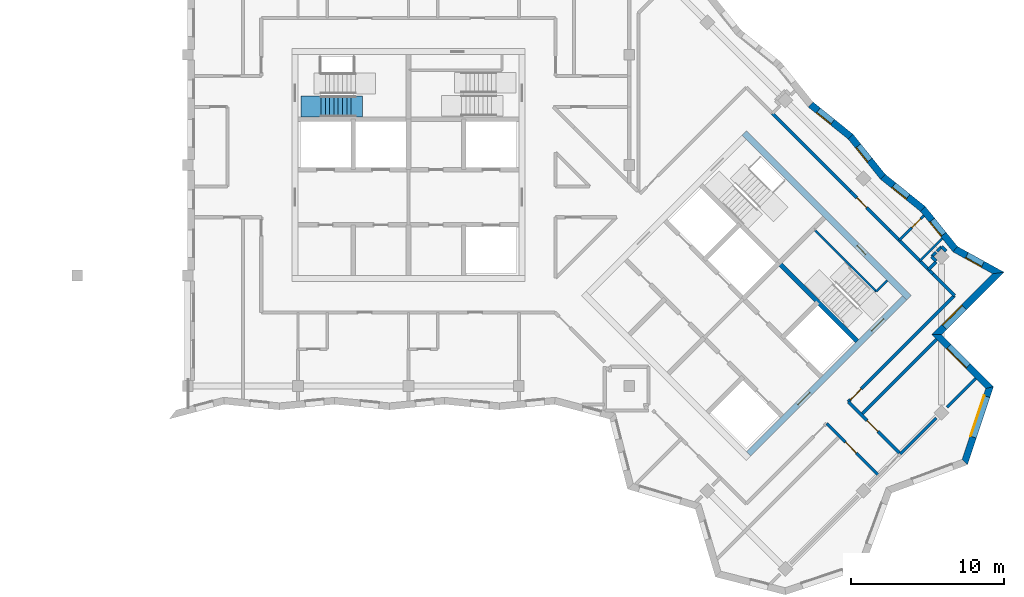
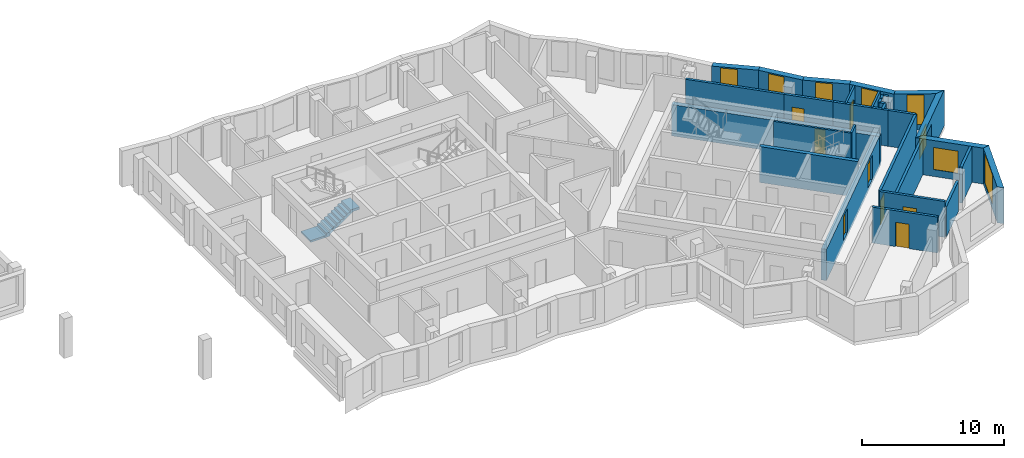
# One storey, part 7 of 12: 30 walls, 8 doors, 8 windows, 1 stair flight, 16 openings, 1 element without a shape of its own.
"""IFC4 building model written with IfcOpenShell, lengths in metres."""

import ifcopenshell
import ifcopenshell.guid

model = None  # the IFC model being written
_history = None  # IfcOwnerHistory: only IFC2X3 demands one
_inside = {}  # id of a spatial element -> (the spatial element, [elements in it])
_under = {}  # id of a project, library or spatial element -> (it, [spatial elements below it])
_declared = {}  # id of a project -> (the project, [libraries it declares])
_typed = {}  # id of a type object -> (the type object, [elements of that type])
_made_of = {}  # id of a material, layer set ... -> (it, [elements and type objects made of it])


def new_model(schema):
    """Start an empty IFC model of exactly this schema.

    Asked for "IFC4X3", IfcOpenShell would pick the latest addendum, in which some entities
    have other attributes; the version numbers below select the first issue.
    IFC2X3 requires an IfcOwnerHistory on every rooted entity: one is made here for all.
    """
    global model, _history
    if schema == "IFC4X3":
        model = ifcopenshell.file(schema_version=(4, 3, 0, 0))
    else:
        model = ifcopenshell.file(schema=schema)
    _inside.clear()
    _under.clear()
    _declared.clear()
    _typed.clear()
    _made_of.clear()
    _history = None
    if model.schema == "IFC2X3":
        org = make("IfcOrganization", Name="unknown")
        user = make(
            "IfcPersonAndOrganization",
            ThePerson=make("IfcPerson", FamilyName="unknown"),
            TheOrganization=org,
        )
        app = make(
            "IfcApplication",
            ApplicationDeveloper=org,
            Version="unknown",
            ApplicationFullName="unknown",
            ApplicationIdentifier="unknown",
        )
        _history = make(
            "IfcOwnerHistory",
            OwningUser=user,
            OwningApplication=app,
            ChangeAction="ADDED",
            CreationDate=0,
        )
    return model


def make(cls, **values):
    """One entity of the class cls with the attributes given. An attribute that is None is left unset."""
    return model.create_entity(
        cls, **{name: value for name, value in values.items() if value is not None}
    )


def rooted(cls, **values):
    """An entity with a GlobalId (a new one), such as an element, a storey or a relation."""
    return make(cls, GlobalId=ifcopenshell.guid.new(), OwnerHistory=_history, **values)


def si_unit(unit_type, name, prefix=None):
    """IfcSIUnit, for example si_unit("LENGTHUNIT", "METRE", prefix="MILLI")."""
    return make("IfcSIUnit", UnitType=unit_type, Prefix=prefix, Name=name)


def assignment(units):
    """IfcUnitAssignment: the units of a project."""
    return None if units is None else make("IfcUnitAssignment", Units=units)


def point(xyz):
    """IfcCartesianPoint."""
    return None if xyz is None else make("IfcCartesianPoint", Coordinates=xyz)


def direction(xyz):
    """IfcDirection."""
    return None if xyz is None else make("IfcDirection", DirectionRatios=xyz)


def frame(location, z_axis=None, x_axis=None):
    """IfcAxis2Placement3D, a coordinate frame: its origin and axes. An axis left out is left unset."""
    return make(
        "IfcAxis2Placement3D",
        Location=point(location),
        Axis=direction(z_axis),
        RefDirection=direction(x_axis),
    )


def frame_2d(location, x_axis=None):
    """IfcAxis2Placement2D, a coordinate frame in the plane: its origin and x axis."""
    return make(
        "IfcAxis2Placement2D", Location=point(location), RefDirection=direction(x_axis)
    )


def origin():
    """The frame at (0, 0, 0) with its axes left unset."""
    return frame((0.0, 0.0, 0.0))


def place(relative_to, where):
    """IfcLocalPlacement: puts the frame where relative to a parent placement (None: the world)."""
    return make(
        "IfcLocalPlacement", PlacementRelTo=relative_to, RelativePlacement=where
    )


def context(
    kind, dimensions, precision=None, world=None, true_north=None, identifier=None
):
    """IfcGeometricRepresentationContext, for example the 3D "Model" context."""
    return make(
        "IfcGeometricRepresentationContext",
        ContextIdentifier=identifier,
        ContextType=kind,
        CoordinateSpaceDimension=dimensions,
        Precision=precision,
        WorldCoordinateSystem=world,
        TrueNorth=true_north,
    )


def subcontext(parent, identifier, kind, view, scale=None):
    """IfcGeometricRepresentationSubContext, for example "Body" below "Model"."""
    return make(
        "IfcGeometricRepresentationSubContext",
        ContextIdentifier=identifier,
        ContextType=kind,
        ParentContext=parent,
        TargetScale=scale,
        TargetView=view,
    )


def project(units=None, contexts=None):
    """IfcProject with its units and contexts."""
    return rooted(
        "IfcProject",
        Name="project",
        RepresentationContexts=contexts,
        UnitsInContext=assignment(units),
    )


def spatial(cls, under=None, at=None, **own):
    """A site, building, storey or space (cls), placed at a placement, below another one or the project."""
    s = rooted(cls, ObjectPlacement=at, **own)
    if under is not None:
        _under.setdefault(under.id(), (under, []))[1].append(s)
    return s


def polyline(points):
    """IfcPolyline through the points."""
    return make("IfcPolyline", Points=[point(p) for p in points])


def profile(cls, at=None, kind="AREA", **sizes):
    """A parametric profile (cls). Its sizes go by their IFC names, for example OverallWidth=200.0."""
    return make(cls, ProfileType=kind, Position=at, **sizes)


def rectangle(**sizes):
    """IfcRectangleProfileDef."""
    return profile("IfcRectangleProfileDef", **sizes)


def outline(outer, holes=None, kind="AREA"):
    """IfcArbitraryClosedProfileDef: a profile drawn as a closed curve; with holes, ...WithVoids."""
    if holes is None:
        return make("IfcArbitraryClosedProfileDef", ProfileType=kind, OuterCurve=outer)
    return make(
        "IfcArbitraryProfileDefWithVoids",
        ProfileType=kind,
        OuterCurve=outer,
        InnerCurves=holes,
    )


def extrude(swept, where, along, depth):
    """IfcExtrudedAreaSolid: the profile swept, set in the frame where, extruded along a direction by depth."""
    return make(
        "IfcExtrudedAreaSolid",
        SweptArea=swept,
        Position=where,
        ExtrudedDirection=direction(along),
        Depth=depth,
    )


def shape(context_of_items, identifier, shape_type, items):
    """IfcShapeRepresentation: the items that make up one representation, for example the "Body"."""
    return make(
        "IfcShapeRepresentation",
        ContextOfItems=context_of_items,
        RepresentationIdentifier=identifier,
        RepresentationType=shape_type,
        Items=items,
    )


def material(Name=None, Category=None):
    """IfcMaterial."""
    return make("IfcMaterial", Name=Name, Category=Category)


def layer(
    of_material, thickness, ventilated=None, Name=None, Category=None, Priority=None
):
    """IfcMaterialLayer: one layer of a wall or slab, of a material (None: an air gap)."""
    return make(
        "IfcMaterialLayer",
        Material=of_material,
        LayerThickness=thickness,
        IsVentilated=ventilated,
        Name=Name,
        Category=Category,
        Priority=Priority,
    )


def layer_set(layers, Name=None):
    """IfcMaterialLayerSet."""
    return make("IfcMaterialLayerSet", MaterialLayers=layers, LayerSetName=Name)


def made_of(thing, what):
    """Note that an element or type object is made of a material, layer set ...; save() writes the relation."""
    if what is not None:
        _made_of.setdefault(what.id(), (what, []))[1].append(thing)
    return thing


def type_object(cls, material=None, **own):
    """A type object (cls), such as IfcWallType, which elements share."""
    return made_of(rooted(cls, **own), material)


def element(
    cls,
    number,
    at=None,
    inside=None,
    cuts=None,
    type_object=None,
    material=None,
    context=None,
    identifier="Body",
    shape_type=None,
    held_by="IfcProductDefinitionShape",
    body=None,
    shapes=None,
    **own,
):
    """One element of the class cls, such as IfcWall. Its Tag is "e" and its number.

    at: its placement. inside: the storey or other place that contains it. cuts: it is an
    opening in that element (IfcRelVoidsElement). A single representation is given by context,
    identifier, shape_type and body (its items); several are given by shapes. held_by: the class
    of the entity that holds the representations. save() writes the other relations.
    """
    e = rooted(cls, Tag="e%d" % number, ObjectPlacement=at, **own)
    if body is not None:
        shapes = [shape(context, identifier, shape_type, body)]
    if shapes is not None:
        e.Representation = make(held_by, Representations=shapes)
    if inside is not None:
        _inside.setdefault(inside.id(), (inside, []))[1].append(e)
    if cuts is not None:
        rooted(
            "IfcRelVoidsElement", RelatingBuildingElement=cuts, RelatedOpeningElement=e
        )
    if type_object is not None:
        _typed.setdefault(type_object.id(), (type_object, []))[1].append(e)
    return made_of(e, material)


def fill(opening, filler):
    """IfcRelFillsElement: the door or window that sits in an opening."""
    return rooted(
        "IfcRelFillsElement",
        RelatingOpeningElement=opening,
        RelatedBuildingElement=filler,
    )


def aggregate(whole, parts):
    """IfcRelAggregates: a whole, such as a stair, and the parts it consists of."""
    return rooted("IfcRelAggregates", RelatingObject=whole, RelatedObjects=parts)


def save(model, path):
    """Write the relations noted so far, then the file.

    IfcRelAggregates (storeys below a building ...), IfcRelContainedInSpatialStructure (elements
    in a storey), IfcRelDefinesByType, IfcRelAssociatesMaterial and IfcRelDeclares: one each for
    every whole, place, type object, material and project.
    """
    for whole, parts in _under.values():
        aggregate(whole, parts)
    for where, things in _inside.values():
        rooted(
            "IfcRelContainedInSpatialStructure",
            RelatedElements=things,
            RelatingStructure=where,
        )
    for kind, things in _typed.values():
        rooted("IfcRelDefinesByType", RelatedObjects=things, RelatingType=kind)
    for what, things in _made_of.values():
        rooted("IfcRelAssociatesMaterial", RelatedObjects=things, RelatingMaterial=what)
    for by, libraries in _declared.values():
        rooted("IfcRelDeclares", RelatingContext=by, RelatedDefinitions=libraries)
    model.write(path)


model = new_model("IFC4")

# Units and contexts
model_context = context("Model", 3, precision=1e-05, world=origin(), true_north=direction((0.0, 1.0)))
body_context = subcontext(model_context, "Body", "Model", "MODEL_VIEW")
ifc_project = project(units=[si_unit("LENGTHUNIT", "METRE"), si_unit("AREAUNIT", "SQUARE_METRE"), si_unit("VOLUMEUNIT", "CUBIC_METRE"), si_unit("PLANEANGLEUNIT", "RADIAN"), si_unit("MASSUNIT", "GRAM", prefix="KILO")], contexts=[model_context])

# Site, building, storey
site_placement = place(None, origin())
site = spatial("IfcSite", under=ifc_project, at=site_placement, CompositionType="ELEMENT")
building_placement = place(site_placement, origin())
building = spatial("IfcBuilding", under=site, at=building_placement, Name="Windrow Commons", CompositionType="ELEMENT")
storey_placement = place(building_placement, frame((0.0, 0.0, 250.6)))
storey = spatial("IfcBuildingStorey", under=building, at=storey_placement, Name="L68", CompositionType="ELEMENT", Elevation=250.6)

# Wall, opening, window
ifc_material_1 = material(Name="Brick masonry, red clay brick", Category="masonry")
ifc_layer_1 = layer(ifc_material_1, 0.45)
ifc_layer_set_1 = layer_set([ifc_layer_1], Name="Brick facade wall 450")
wall_type_1 = type_object("IfcWallType", Name="Brick facade wall 450", PredefinedType="SOLIDWALL", material=ifc_layer_set_1)
wall_1_placement = place(storey_placement, frame((101.0824, 38.2322, 0.0), z_axis=(0.0, 0.0, 1.0), x_axis=(0.316227766, 0.9486832981, 0.0)))
wall_1 = element("IfcWall", 1, at=wall_1_placement, inside=storey, type_object=wall_type_1, Name="Brick facade wall L68 4", PredefinedType="SOLIDWALL", context=body_context, shape_type="SweptSolid", body=[
    extrude(outline(polyline([(-0.1078, -0.225), (5.2588, -0.225), (4.9807, 0.225), (0.1078, 0.225), (-0.1078, -0.225)])), origin(), (0.0, 0.0, 1.0), 3.1),
])
opening_1_placement = place(wall_1_placement, frame((1.7112, 0.0, 0.45)))
opening_1 = element("IfcOpeningElement", 2, at=opening_1_placement, cuts=wall_1, Name="Opening W1V", PredefinedType="OPENING", context=body_context, shape_type="SweptSolid", body=[
    extrude(rectangle(XDim=2.8, YDim=2.55, at=frame_2d((1.4, 1.275))), frame((0.0, 0.235, 0.0), z_axis=(0.0, -1.0, 0.0), x_axis=(1.0, 0.0, 0.0)), (0.0, 0.0, 1.0), 0.47),
])
ifc_material_2 = material(Name="Clear float glass in anodised aluminium frame", Category="aluminium")
window_type_1 = type_object("IfcWindowType", Name="Window W1V bedroom 2800x2550", PartitioningType="SINGLE_PANEL", PredefinedType="WINDOW", material=ifc_material_2)
window_1_placement = place(opening_1_placement, origin())
window_1 = element("IfcWindow", 3, at=window_1_placement, inside=storey, type_object=window_type_1, Name="Window L68 4.1", OverallHeight=2.55, OverallWidth=2.8, PartitioningType="SINGLE_PANEL", PredefinedType="WINDOW", context=body_context, shape_type="SweptSolid", body=[
    extrude(rectangle(XDim=2.8, YDim=2.55, at=frame_2d((1.4, 1.275))), frame((0.0, 0.205, 0.0), z_axis=(0.0, -1.0, 0.0), x_axis=(1.0, 0.0, 0.0)), (0.0, 0.0, 1.0), 0.06),
])
fill(opening_1, window_1)

wall_2_placement = place(storey_placement, frame((102.7014, 43.0892, 0.0), z_axis=(0.0, 0.0, 1.0), x_axis=(-0.7070965479, 0.7071170144, 0.0)))
wall_2 = element("IfcWall", 4, at=wall_2_placement, inside=storey, type_object=wall_type_1, Name="Brick facade wall L68 5", PredefinedType="SOLIDWALL", context=body_context, shape_type="SweptSolid", body=[
    extrude(outline(polyline([(-0.1391, -0.225), (4.661, -0.225), (5.111, 0.225), (0.1391, 0.225), (-0.1391, -0.225)])), origin(), (0.0, 0.0, 1.0), 3.1),
])
opening_2_placement = place(wall_2_placement, frame((1.9735, 0.0, 0.6)))
opening_2 = element("IfcOpeningElement", 5, at=opening_2_placement, cuts=wall_2, Name="Opening W1L", PredefinedType="OPENING", context=body_context, shape_type="SweptSolid", body=[
    extrude(rectangle(XDim=1.8, YDim=1.9, at=frame_2d((0.9, 0.95))), frame((0.0, 0.235, 0.0), z_axis=(0.0, -1.0, 0.0), x_axis=(1.0, 0.0, 0.0)), (0.0, 0.0, 1.0), 0.47),
])
ifc_material_3 = material(Name="Clear float glass in anodised aluminium frame", Category="aluminium")
window_type_2 = type_object("IfcWindowType", Name="Window W1L bedroom 1800x1900", PartitioningType="SINGLE_PANEL", PredefinedType="WINDOW", material=ifc_material_3)
window_2_placement = place(opening_2_placement, origin())
window_2 = element("IfcWindow", 6, at=window_2_placement, inside=storey, type_object=window_type_2, Name="Window L68 5.1", OverallHeight=1.9, OverallWidth=1.8, PartitioningType="SINGLE_PANEL", PredefinedType="WINDOW", context=body_context, shape_type="SweptSolid", body=[
    extrude(rectangle(XDim=1.8, YDim=1.9, at=frame_2d((0.9, 0.95))), frame((0.0, 0.205, 0.0), z_axis=(0.0, -1.0, 0.0), x_axis=(1.0, 0.0, 0.0)), (0.0, 0.0, 1.0), 0.06),
])
fill(opening_2, window_2)

wall_3_placement = place(storey_placement, frame((99.2465, 46.5442, 0.0), z_axis=(0.0, 0.0, 1.0), x_axis=(0.7071067812, 0.7071067812, 0.0)))
wall_3 = element("IfcWall", 7, at=wall_3_placement, inside=storey, type_object=wall_type_1, Name="Brick facade wall L68 6", PredefinedType="SOLIDWALL", context=body_context, shape_type="SweptSolid", body=[
    extrude(outline(polyline([(0.225, -0.225), (5.986, -0.225), (5.3877, 0.225), (-0.225, 0.225), (0.225, -0.225)])), origin(), (0.0, 0.0, 1.0), 3.1),
])
opening_3_placement = place(wall_3_placement, frame((0.7125, 0.0, 0.6)))
opening_3 = element("IfcOpeningElement", 8, at=opening_3_placement, cuts=wall_3, Name="Opening W1L", PredefinedType="OPENING", context=body_context, shape_type="SweptSolid", body=[
    extrude(rectangle(XDim=1.8, YDim=1.9, at=frame_2d((0.9, 0.95))), frame((0.0, 0.235, 0.0), z_axis=(0.0, -1.0, 0.0), x_axis=(1.0, 0.0, 0.0)), (0.0, 0.0, 1.0), 0.47),
])
window_3_placement = place(opening_3_placement, origin())
window_3 = element("IfcWindow", 9, at=window_3_placement, inside=storey, type_object=window_type_2, Name="Window L68 6.1", OverallHeight=1.9, OverallWidth=1.8, PartitioningType="SINGLE_PANEL", PredefinedType="WINDOW", context=body_context, shape_type="SweptSolid", body=[
    extrude(rectangle(XDim=1.8, YDim=1.9, at=frame_2d((0.9, 0.95))), frame((0.0, 0.205, 0.0), z_axis=(0.0, -1.0, 0.0), x_axis=(1.0, 0.0, 0.0)), (0.0, 0.0, 1.0), 0.06),
])
fill(opening_3, window_3)

wall_4_placement = place(storey_placement, frame((103.2677, 50.5654, 0.0), z_axis=(0.0, 0.0, 1.0), x_axis=(-0.8754572741, 0.4832955216, 0.0)))
wall_4 = element("IfcWall", 10, at=wall_4_placement, inside=storey, type_object=wall_type_1, Name="Brick facade wall L68 7", PredefinedType="SOLIDWALL", context=body_context, shape_type="SweptSolid", body=[
    extrude(outline(polyline([(-0.2991, -0.225), (3.1663, -0.225), (3.2549, 0.225), (0.2991, 0.225), (-0.2991, -0.225)])), origin(), (0.0, 0.0, 1.0), 3.1),
])
opening_4_placement = place(wall_4_placement, frame((1.1549, 0.0, 0.45)))
opening_4 = element("IfcOpeningElement", 11, at=opening_4_placement, cuts=wall_4, Name="Opening W7F", PredefinedType="OPENING", context=body_context, shape_type="SweptSolid", body=[
    extrude(rectangle(XDim=1.2, YDim=2.55, at=frame_2d((0.6, 1.275))), frame((0.0, 0.235, 0.0), z_axis=(0.0, -1.0, 0.0), x_axis=(1.0, 0.0, 0.0)), (0.0, 0.0, 1.0), 0.47),
])
ifc_material_4 = material(Name="Clear float glass in anodised aluminium frame", Category="aluminium")
window_type_3 = type_object("IfcWindowType", Name="Window W7 notch 1200x2550", PartitioningType="SINGLE_PANEL", PredefinedType="WINDOW", material=ifc_material_4)
window_4_placement = place(opening_4_placement, origin())
window_4 = element("IfcWindow", 12, at=window_4_placement, inside=storey, type_object=window_type_3, Name="Window L68 7.1", OverallHeight=2.55, OverallWidth=1.2, PartitioningType="SINGLE_PANEL", PredefinedType="WINDOW", context=body_context, shape_type="SweptSolid", body=[
    extrude(rectangle(XDim=1.2, YDim=2.55, at=frame_2d((0.6, 1.275))), frame((0.0, 0.205, 0.0), z_axis=(0.0, -1.0, 0.0), x_axis=(1.0, 0.0, 0.0)), (0.0, 0.0, 1.0), 0.06),
])
fill(opening_4, window_4)

wall_5_placement = place(storey_placement, frame((100.4569, 52.1171, 0.0), z_axis=(0.0, 0.0, 1.0), x_axis=(-0.6267598202, 0.7792125049, 0.0)))
wall_5 = element("IfcWall", 13, at=wall_5_placement, inside=storey, type_object=wall_type_1, Name="Brick facade wall L68 8", PredefinedType="SOLIDWALL", context=body_context, shape_type="SweptSolid", body=[
    extrude(outline(polyline([(0.0443, -0.225), (3.3933, -0.225), (3.3446, 0.225), (-0.0443, 0.225), (0.0443, -0.225)])), origin(), (0.0, 0.0, 1.0), 3.1),
])
opening_5_placement = place(wall_5_placement, frame((1.2223, 0.0, 0.45)))
opening_5 = element("IfcOpeningElement", 14, at=opening_5_placement, cuts=wall_5, Name="Opening W7F", PredefinedType="OPENING", context=body_context, shape_type="SweptSolid", body=[
    extrude(rectangle(XDim=1.2, YDim=2.55, at=frame_2d((0.6, 1.275))), frame((0.0, 0.235, 0.0), z_axis=(0.0, -1.0, 0.0), x_axis=(1.0, 0.0, 0.0)), (0.0, 0.0, 1.0), 0.47),
])
window_5_placement = place(opening_5_placement, origin())
window_5 = element("IfcWindow", 15, at=window_5_placement, inside=storey, type_object=window_type_3, Name="Window L68 8.1", OverallHeight=2.55, OverallWidth=1.2, PartitioningType="SINGLE_PANEL", PredefinedType="WINDOW", context=body_context, shape_type="SweptSolid", body=[
    extrude(rectangle(XDim=1.2, YDim=2.55, at=frame_2d((0.6, 1.275))), frame((0.0, 0.205, 0.0), z_axis=(0.0, -1.0, 0.0), x_axis=(1.0, 0.0, 0.0)), (0.0, 0.0, 1.0), 0.06),
])
fill(opening_5, window_5)

wall_6_placement = place(storey_placement, frame((98.3454, 54.7422, 0.0), z_axis=(0.0, 0.0, 1.0), x_axis=(-0.7792172545, 0.6267539152, 0.0)))
wall_6 = element("IfcWall", 16, at=wall_6_placement, inside=storey, type_object=wall_type_1, Name="Brick facade wall L68 9", PredefinedType="SOLIDWALL", context=body_context, shape_type="SweptSolid", body=[
    extrude(outline(polyline([(-0.0244, -0.225), (3.3246, -0.225), (3.3734, 0.225), (0.0244, 0.225), (-0.0244, -0.225)])), origin(), (0.0, 0.0, 1.0), 3.1),
])
opening_6_placement = place(wall_6_placement, frame((1.2466, 0.0, 0.45)))
opening_6 = element("IfcOpeningElement", 17, at=opening_6_placement, cuts=wall_6, Name="Opening W7F", PredefinedType="OPENING", context=body_context, shape_type="SweptSolid", body=[
    extrude(rectangle(XDim=1.2, YDim=2.55, at=frame_2d((0.6, 1.275))), frame((0.0, 0.235, 0.0), z_axis=(0.0, -1.0, 0.0), x_axis=(1.0, 0.0, 0.0)), (0.0, 0.0, 1.0), 0.47),
])
window_6_placement = place(opening_6_placement, origin())
window_6 = element("IfcWindow", 18, at=window_6_placement, inside=storey, type_object=window_type_3, Name="Window L68 9.1", OverallHeight=2.55, OverallWidth=1.2, PartitioningType="SINGLE_PANEL", PredefinedType="WINDOW", context=body_context, shape_type="SweptSolid", body=[
    extrude(rectangle(XDim=1.2, YDim=2.55, at=frame_2d((0.6, 1.275))), frame((0.0, 0.205, 0.0), z_axis=(0.0, -1.0, 0.0), x_axis=(1.0, 0.0, 0.0)), (0.0, 0.0, 1.0), 0.06),
])
fill(opening_6, window_6)

wall_7_placement = place(storey_placement, frame((95.7358, 56.8412, 0.0), z_axis=(0.0, 0.0, 1.0), x_axis=(-0.6267539152, 0.7792172545, 0.0)))
wall_7 = element("IfcWall", 19, at=wall_7_placement, inside=storey, type_object=wall_type_1, Name="Brick facade wall L68 10", PredefinedType="SOLIDWALL", context=body_context, shape_type="SweptSolid", body=[
    extrude(outline(polyline([(0.0244, -0.225), (3.3734, -0.225), (3.3246, 0.225), (-0.0244, 0.225), (0.0244, -0.225)])), origin(), (0.0, 0.0, 1.0), 3.1),
])
opening_7_placement = place(wall_7_placement, frame((1.3704, 0.0, 0.45)))
opening_7 = element("IfcOpeningElement", 20, at=opening_7_placement, cuts=wall_7, Name="Opening W7F", PredefinedType="OPENING", context=body_context, shape_type="SweptSolid", body=[
    extrude(rectangle(XDim=1.2, YDim=2.55, at=frame_2d((0.6, 1.275))), frame((0.0, 0.235, 0.0), z_axis=(0.0, -1.0, 0.0), x_axis=(1.0, 0.0, 0.0)), (0.0, 0.0, 1.0), 0.47),
])
window_7_placement = place(opening_7_placement, origin())
window_7 = element("IfcWindow", 21, at=window_7_placement, inside=storey, type_object=window_type_3, Name="Window L68 10.1", OverallHeight=2.55, OverallWidth=1.2, PartitioningType="SINGLE_PANEL", PredefinedType="WINDOW", context=body_context, shape_type="SweptSolid", body=[
    extrude(rectangle(XDim=1.2, YDim=2.55, at=frame_2d((0.6, 1.275))), frame((0.0, 0.205, 0.0), z_axis=(0.0, -1.0, 0.0), x_axis=(1.0, 0.0, 0.0)), (0.0, 0.0, 1.0), 0.06),
])
fill(opening_7, window_7)

wall_8_placement = place(storey_placement, frame((93.6368, 59.4508, 0.0), z_axis=(0.0, 0.0, 1.0), x_axis=(-0.7792026718, 0.6267720449, 0.0)))
wall_8 = element("IfcWall", 22, at=wall_8_placement, inside=storey, type_object=wall_type_1, Name="Brick facade wall L68 11", PredefinedType="SOLIDWALL", context=body_context, shape_type="SweptSolid", body=[
    extrude(outline(polyline([(-0.0244, -0.225), (3.3246, -0.225), (3.3734, 0.225), (0.0244, 0.225), (-0.0244, -0.225)])), origin(), (0.0, 0.0, 1.0), 3.1),
])
opening_8_placement = place(wall_8_placement, frame((1.5187, 0.0, 0.45)))
opening_8 = element("IfcOpeningElement", 23, at=opening_8_placement, cuts=wall_8, Name="Opening W7F", PredefinedType="OPENING", context=body_context, shape_type="SweptSolid", body=[
    extrude(rectangle(XDim=1.2, YDim=2.55, at=frame_2d((0.6, 1.275))), frame((0.0, 0.235, 0.0), z_axis=(0.0, -1.0, 0.0), x_axis=(1.0, 0.0, 0.0)), (0.0, 0.0, 1.0), 0.47),
])
window_8_placement = place(opening_8_placement, origin())
window_8 = element("IfcWindow", 24, at=window_8_placement, inside=storey, type_object=window_type_3, Name="Window L68 11.1", OverallHeight=2.55, OverallWidth=1.2, PartitioningType="SINGLE_PANEL", PredefinedType="WINDOW", context=body_context, shape_type="SweptSolid", body=[
    extrude(rectangle(XDim=1.2, YDim=2.55, at=frame_2d((0.6, 1.275))), frame((0.0, 0.205, 0.0), z_axis=(0.0, -1.0, 0.0), x_axis=(1.0, 0.0, 0.0)), (0.0, 0.0, 1.0), 0.06),
])
fill(opening_8, window_8)

# Wall, opening, door
ifc_material_5 = material(Name="Blockwork partition", Category="masonry")
ifc_layer_2 = layer(ifc_material_5, 0.2)
ifc_layer_set_2 = layer_set([ifc_layer_2], Name="IW-CORRIDOR-200")
wall_type_2 = type_object("IfcWallType", Name="IW-CORRIDOR-200", PredefinedType="PARTITIONING", material=ifc_layer_set_2)
wall_9_placement = place(storey_placement, frame((93.4829, 42.1611, 0.0), z_axis=(0.0, 0.0, 1.0), x_axis=(0.7071067812, 0.7071067812, 0.0)))
wall_9 = element("IfcWall", 25, at=wall_9_placement, inside=storey, type_object=wall_type_2, Name="W-L68-W005", PredefinedType="PARTITIONING", context=body_context, shape_type="SweptSolid", body=[
    extrude(rectangle(XDim=9.8005, YDim=0.2, at=frame_2d((4.9002, 0.0))), origin(), (0.0, 0.0, 1.0), 3.1),
])
opening_9_placement = place(wall_9_placement, frame((0.1926, 0.0, 0.0)))
opening_9 = element("IfcOpeningElement", 26, at=opening_9_placement, cuts=wall_9, Name="Opening D310F", PredefinedType="OPENING", context=body_context, shape_type="SweptSolid", body=[
    extrude(rectangle(XDim=1.0, YDim=2.1, at=frame_2d((0.5, 1.05))), frame((0.0, 0.11, 0.0), z_axis=(0.0, -1.0, 0.0), x_axis=(1.0, 0.0, 0.0)), (0.0, 0.0, 1.0), 0.22),
])
ifc_material_6 = material(Name="Timber door leaf", Category="wood")
door_type_1 = type_object("IfcDoorType", Name="DT-AMENITY-1000", OperationType="SINGLE_SWING_LEFT", PredefinedType="DOOR", material=ifc_material_6)
door_1_placement = place(opening_9_placement, origin())
door_1 = element("IfcDoor", 27, at=door_1_placement, inside=storey, type_object=door_type_1, Name="D-L68-D026", OperationType="SINGLE_SWING_LEFT", OverallHeight=2.1, OverallWidth=1.0, PredefinedType="DOOR", context=body_context, shape_type="SweptSolid", body=[
    extrude(rectangle(XDim=1.0, YDim=2.1, at=frame_2d((0.5, 1.05))), frame((0.0, 0.025, 0.0), z_axis=(0.0, -1.0, 0.0), x_axis=(1.0, 0.0, 0.0)), (0.0, 0.0, 1.0), 0.05),
])
fill(opening_9, door_1)

# Wall
wall_10_placement = place(storey_placement, frame((88.5346, 60.9706, 0.0), z_axis=(0.0, 0.0, 1.0), x_axis=(0.7069678741, -0.707245661, 0.0)))
element("IfcWall", 28, at=wall_10_placement, inside=storey, type_object=wall_type_2, Name="W-L68-W011", PredefinedType="PARTITIONING", context=body_context, shape_type="SweptSolid", body=[
    extrude(rectangle(XDim=7.1998, YDim=0.2, at=frame_2d((3.5999, 0.0))), origin(), (0.0, 0.0, 1.0), 3.1),
])

# Wall, opening, door
wall_11_placement = place(storey_placement, frame((93.4806, 42.1566, 0.0), z_axis=(0.0, 0.0, 1.0), x_axis=(0.7071067812, -0.7071067812, 0.0)))
wall_11 = element("IfcWall", 29, at=wall_11_placement, inside=storey, type_object=wall_type_2, Name="W-L68-W020", PredefinedType="PARTITIONING", context=body_context, shape_type="SweptSolid", body=[
    extrude(rectangle(XDim=4.7998, YDim=0.2, at=frame_2d((2.3999, 0.0))), origin(), (0.0, 0.0, 1.0), 3.1),
])
opening_10_placement = place(wall_11_placement, frame((1.7246, 0.0, 0.0)))
opening_10 = element("IfcOpeningElement", 30, at=opening_10_placement, cuts=wall_11, Name="Opening D310F", PredefinedType="OPENING", context=body_context, shape_type="SweptSolid", body=[
    extrude(rectangle(XDim=1.0, YDim=2.1, at=frame_2d((0.5, 1.05))), frame((0.0, 0.11, 0.0), z_axis=(0.0, -1.0, 0.0), x_axis=(1.0, 0.0, 0.0)), (0.0, 0.0, 1.0), 0.22),
])
door_2_placement = place(opening_10_placement, origin())
door_2 = element("IfcDoor", 31, at=door_2_placement, inside=storey, type_object=door_type_1, Name="D-L68-D027", OperationType="SINGLE_SWING_RIGHT", OverallHeight=2.1, OverallWidth=1.0, PredefinedType="DOOR", context=body_context, shape_type="SweptSolid", body=[
    extrude(rectangle(XDim=1.0, YDim=2.1, at=frame_2d((0.5, 1.05))), frame((0.0, 0.025, 0.0), z_axis=(0.0, -1.0, 0.0), x_axis=(1.0, 0.0, 0.0)), (0.0, 0.0, 1.0), 0.05),
])
fill(opening_10, door_2)

wall_12_placement = place(storey_placement, frame((92.0735, 40.7495, 0.0), z_axis=(0.0, 0.0, 1.0), x_axis=(0.7071067812, -0.7071067812, 0.0)))
wall_12 = element("IfcWall", 32, at=wall_12_placement, inside=storey, type_object=wall_type_2, Name="W-L68-W021", PredefinedType="PARTITIONING", context=body_context, shape_type="SweptSolid", body=[
    extrude(rectangle(XDim=4.7998, YDim=0.2, at=frame_2d((2.3999, 0.0))), origin(), (0.0, 0.0, 1.0), 3.1),
])
opening_11_placement = place(wall_12_placement, frame((1.7246, 0.0, 0.0)))
opening_11 = element("IfcOpeningElement", 33, at=opening_11_placement, cuts=wall_12, Name="Opening D310F", PredefinedType="OPENING", context=body_context, shape_type="SweptSolid", body=[
    extrude(rectangle(XDim=1.0, YDim=2.1, at=frame_2d((0.5, 1.05))), frame((0.0, 0.11, 0.0), z_axis=(0.0, -1.0, 0.0), x_axis=(1.0, 0.0, 0.0)), (0.0, 0.0, 1.0), 0.22),
])
door_3_placement = place(opening_11_placement, origin())
door_3 = element("IfcDoor", 34, at=door_3_placement, inside=storey, type_object=door_type_1, Name="D-L68-D025", OperationType="SINGLE_SWING_LEFT", OverallHeight=2.1, OverallWidth=1.0, PredefinedType="DOOR", context=body_context, shape_type="SweptSolid", body=[
    extrude(rectangle(XDim=1.0, YDim=2.1, at=frame_2d((0.5, 1.05))), frame((0.0, 0.025, 0.0), z_axis=(0.0, -1.0, 0.0), x_axis=(1.0, 0.0, 0.0)), (0.0, 0.0, 1.0), 0.05),
])
fill(opening_11, door_3)

# Wall
wall_13_placement = place(storey_placement, frame((96.1673, 53.3293, 0.0), z_axis=(0.0, 0.0, 1.0), x_axis=(0.7071067812, -0.7071067812, 0.0)))
element("IfcWall", 35, at=wall_13_placement, inside=storey, type_object=wall_type_2, Name="W-L68-W030", PredefinedType="PARTITIONING", context=body_context, shape_type="SweptSolid", body=[
    extrude(rectangle(XDim=3.9994, YDim=0.2, at=frame_2d((1.9997, 0.0))), origin(), (0.0, 0.0, 1.0), 3.1),
])

# Wall, opening, door
wall_14_placement = place(storey_placement, frame((93.629, 55.881, 0.0), z_axis=(0.0, 0.0, 1.0), x_axis=(0.7068288851, -0.7073845681, 0.0)))
wall_14 = element("IfcWall", 36, at=wall_14_placement, inside=storey, type_object=wall_type_2, Name="W-L68-W035", PredefinedType="PARTITIONING", context=body_context, shape_type="SweptSolid", body=[
    extrude(rectangle(XDim=3.5992, YDim=0.2, at=frame_2d((1.7996, 0.0))), origin(), (0.0, 0.0, 1.0), 3.1),
])
opening_12_placement = place(wall_14_placement, frame((0.5837, 0.0, 0.0)))
opening_12 = element("IfcOpeningElement", 37, at=opening_12_placement, cuts=wall_14, Name="Opening D109F", PredefinedType="OPENING", context=body_context, shape_type="SweptSolid", body=[
    extrude(rectangle(XDim=0.9, YDim=2.1, at=frame_2d((0.45, 1.05))), frame((0.0, 0.11, 0.0), z_axis=(0.0, -1.0, 0.0), x_axis=(1.0, 0.0, 0.0)), (0.0, 0.0, 1.0), 0.22),
])
ifc_material_7 = material(Name="Timber door leaf", Category="wood")
door_type_2 = type_object("IfcDoorType", Name="DT-BEDROOM-900", OperationType="SINGLE_SWING_LEFT", PredefinedType="DOOR", material=ifc_material_7)
door_4_placement = place(opening_12_placement, origin())
door_4 = element("IfcDoor", 38, at=door_4_placement, inside=storey, type_object=door_type_2, Name="D-L68-D020", OperationType="SINGLE_SWING_LEFT", OverallHeight=2.1, OverallWidth=0.9, PredefinedType="DOOR", context=body_context, shape_type="SweptSolid", body=[
    extrude(rectangle(XDim=0.9, YDim=2.1, at=frame_2d((0.45, 1.05))), frame((0.0, 0.025, 0.0), z_axis=(0.0, -1.0, 0.0), x_axis=(1.0, 0.0, 0.0)), (0.0, 0.0, 1.0), 0.05),
])
fill(opening_12, door_4)

# Wall
wall_15_placement = place(storey_placement, frame((98.9983, 50.5043, 0.0), z_axis=(0.0, 0.0, 1.0), x_axis=(0.7076063266, -0.7066068826, 0.0)))
element("IfcWall", 39, at=wall_15_placement, inside=storey, type_object=wall_type_2, Name="W-L68-W069", PredefinedType="PARTITIONING", context=body_context, shape_type="SweptSolid", body=[
    extrude(rectangle(XDim=2.0011, YDim=0.2, at=frame_2d((1.0006, 0.0))), origin(), (0.0, 0.0, 1.0), 3.1),
])

# Wall, opening, door
ifc_material_8 = material(Name="Blockwork partition", Category="masonry")
ifc_layer_3 = layer(ifc_material_8, 0.15)
ifc_layer_set_3 = layer_set([ifc_layer_3], Name="IW-ENSUITE-150")
wall_type_3 = type_object("IfcWallType", Name="IW-ENSUITE-150", PredefinedType="PARTITIONING", material=ifc_layer_set_3)
wall_16_placement = place(storey_placement, frame((96.8044, 52.6976, 0.0), z_axis=(0.0, 0.0, 1.0), x_axis=(0.7075691222, 0.7066441377, 0.0)))
wall_16 = element("IfcWall", 40, at=wall_16_placement, inside=storey, type_object=wall_type_3, Name="W-L68-W054", PredefinedType="PARTITIONING", context=body_context, shape_type="SweptSolid", body=[
    extrude(rectangle(XDim=2.2703, YDim=0.15, at=frame_2d((1.1352, 0.0))), origin(), (0.0, 0.0, 1.0), 3.1),
])
opening_13_placement = place(wall_16_placement, frame((1.1664, 0.0, 0.0)))
opening_13 = element("IfcOpeningElement", 41, at=opening_13_placement, cuts=wall_16, Name="Opening D208N", PredefinedType="OPENING", context=body_context, shape_type="SweptSolid", body=[
    extrude(rectangle(XDim=0.8, YDim=2.1, at=frame_2d((0.4, 1.05))), frame((0.0, 0.085, 0.0), z_axis=(0.0, -1.0, 0.0), x_axis=(1.0, 0.0, 0.0)), (0.0, 0.0, 1.0), 0.17),
])
ifc_material_9 = material(Name="Timber door leaf", Category="wood")
door_type_3 = type_object("IfcDoorType", Name="DT-ENSUITE-800", OperationType="SINGLE_SWING_LEFT", PredefinedType="DOOR", material=ifc_material_9)
door_5_placement = place(opening_13_placement, origin())
door_5 = element("IfcDoor", 42, at=door_5_placement, inside=storey, type_object=door_type_3, Name="D-L68-D021", OperationType="SINGLE_SWING_RIGHT", OverallHeight=2.1, OverallWidth=0.8, PredefinedType="DOOR", context=body_context, shape_type="SweptSolid", body=[
    extrude(rectangle(XDim=0.8, YDim=2.1, at=frame_2d((0.4, 1.05))), frame((0.0, 0.025, 0.0), z_axis=(0.0, -1.0, 0.0), x_axis=(1.0, 0.0, 0.0)), (0.0, 0.0, 1.0), 0.05),
])
fill(opening_13, door_5)

# Walls
wall_17_placement = place(storey_placement, frame((98.1492, 51.3528, 0.0), z_axis=(0.0, 0.0, 1.0), x_axis=(0.707082559, 0.7071310026, 0.0)))
element("IfcWall", 43, at=wall_17_placement, inside=storey, type_object=wall_type_3, Name="W-L68-W068", PredefinedType="PARTITIONING", context=body_context, shape_type="SweptSolid", body=[
    extrude(rectangle(XDim=2.0643, YDim=0.15, at=frame_2d((1.0321, 0.0))), origin(), (0.0, 0.0, 1.0), 3.1),
])
ifc_material_10 = material(Name="Blockwork partition", Category="masonry")
ifc_layer_4 = layer(ifc_material_10, 0.2)
ifc_layer_set_4 = layer_set([ifc_layer_4], Name="IW-PARTY-200")
wall_type_4 = type_object("IfcWallType", Name="IW-PARTY-200", PredefinedType="PARTITIONING", material=ifc_layer_set_4)
wall_18_placement = place(storey_placement, frame((94.3314, 41.3126, 0.0), z_axis=(0.0, 0.0, 1.0), x_axis=(0.7071139756, 0.7070995867, 0.0)))
element("IfcWall", 44, at=wall_18_placement, inside=storey, type_object=wall_type_4, Name="W-L68-W012", PredefinedType="PARTITIONING", context=body_context, shape_type="SweptSolid", body=[
    extrude(rectangle(XDim=6.9498, YDim=0.2, at=frame_2d((3.4749, 0.0))), origin(), (0.0, 0.0, 1.0), 3.1),
])
wall_19_placement = place(storey_placement, frame((96.877, 38.767, 0.0), z_axis=(0.0, 0.0, 1.0), x_axis=(0.7071067812, 0.7071067812, 0.0)))
element("IfcWall", 45, at=wall_19_placement, inside=storey, type_object=wall_type_4, Name="W-L68-W038", PredefinedType="PARTITIONING", context=body_context, shape_type="SweptSolid", body=[
    extrude(rectangle(XDim=3.3064, YDim=0.2, at=frame_2d((1.6532, 0.0))), origin(), (0.0, 0.0, 1.0), 2.6),
])
wall_20_placement = place(storey_placement, frame((99.913, 41.803, 0.0), z_axis=(0.0, 0.0, 1.0), x_axis=(0.7071067812, 0.7071067812, 0.0)))
element("IfcWall", 46, at=wall_20_placement, inside=storey, type_object=wall_type_4, Name="W-L68-W042", PredefinedType="PARTITIONING", context=body_context, shape_type="SweptSolid", body=[
    extrude(rectangle(XDim=2.6562, YDim=0.2, at=frame_2d((1.3281, 0.0))), origin(), (0.0, 0.0, 1.0), 3.1),
])
wall_21_placement = place(storey_placement, frame((98.7136, 50.7884, 0.0), z_axis=(0.0, 0.0, 1.0), x_axis=(0.7056883165, 0.7085224061, 0.0)))
element("IfcWall", 47, at=wall_21_placement, inside=storey, type_object=wall_type_4, Name="W-L68-W087", PredefinedType="PARTITIONING", context=body_context, shape_type="SweptSolid", body=[
    extrude(rectangle(XDim=0.7057, YDim=0.2, at=frame_2d((0.3528, 0.0))), origin(), (0.0, 0.0, 1.0), 3.1),
])
for number, where, z_axis, x_axis, name in (
    (48, (99.5681, 52.2761, 0.0), (0.0, 0.0, 1.0), (0.7071067812, -0.7071067812, 0.0), "W-L68-W105"),
    (49, (99.2777, 51.9863, 0.0), (0.0, 0.0, 1.0), (0.7071067812, 0.7071067812, 0.0), "W-L68-W106"),
    (50, (98.9246, 51.6326, 0.0), (0.0, 0.0, 1.0), (0.7071067812, -0.7071067812, 0.0), "W-L68-W107"),
    (51, (98.9237, 51.6323, 0.0), (0.0, 0.0, 1.0), (0.7071067812, 0.7071067812, 0.0), "W-L68-W108"),
):
    element("IfcWall", number, at=place(storey_placement, frame(where, z_axis=z_axis, x_axis=x_axis)), inside=storey, type_object=wall_type_4, Name=name, PredefinedType="PARTITIONING", context=body_context, shape_type="SweptSolid", body=[
        extrude(rectangle(XDim=0.4101, YDim=0.2, at=frame_2d((0.2051, 0.0))), origin(), (0.0, 0.0, 1.0), 3.1),
    ])

# Wall, opening, door
ifc_material_11 = material(Name="Concrete C40/50", Category="concrete")
ifc_layer_5 = layer(ifc_material_11, 0.4)
ifc_layer_set_5 = layer_set([ifc_layer_5], Name="RC CORE WALL 400 C40/50")
wall_type_5 = type_object("IfcWallType", Name="RC CORE WALL 400 C40/50", PredefinedType="SHEAR", material=ifc_layer_set_5)
wall_22_placement = place(storey_placement, frame((86.6953, 59.6963, -0.3), z_axis=(0.0, 0.0, 1.0), x_axis=(0.7071100706, -0.7071034917, 0.0)))
wall_22 = element("IfcWall", 52, at=wall_22_placement, inside=storey, type_object=wall_type_5, Name="Core B wall outer-N", PredefinedType="SHEAR", context=body_context, shape_type="SweptSolid", body=[
    extrude(rectangle(XDim=15.2, YDim=0.4, at=frame_2d((7.6, 0.0))), origin(), (0.0, 0.0, 1.0), 2.7),
])
opening_14_placement = place(wall_22_placement, frame((10.4, 0.0, 0.3)))
opening_14 = element("IfcOpeningElement", 53, at=opening_14_placement, cuts=wall_22, Name="Opening D9", PredefinedType="OPENING", context=body_context, shape_type="SweptSolid", body=[
    extrude(rectangle(XDim=0.8, YDim=2.1, at=frame_2d((0.4, 1.05))), frame((0.0, 0.21, 0.0), z_axis=(0.0, -1.0, 0.0), x_axis=(1.0, 0.0, 0.0)), (0.0, 0.0, 1.0), 0.42),
])
ifc_material_12 = material(Name="Steel fire door leaf", Category="steel")
door_type_4 = type_object("IfcDoorType", Name="Riser access door 800", OperationType="SINGLE_SWING_LEFT", PredefinedType="DOOR", material=ifc_material_12)
door_6_placement = place(opening_14_placement, origin())
door_6 = element("IfcDoor", 54, at=door_6_placement, inside=storey, type_object=door_type_4, Name="Riser access door", OperationType="SINGLE_SWING_RIGHT", OverallHeight=2.1, OverallWidth=0.8, PredefinedType="DOOR", context=body_context, shape_type="SweptSolid", body=[
    extrude(rectangle(XDim=0.8, YDim=2.1, at=frame_2d((0.4, 1.05))), frame((0.0, 0.025, 0.0), z_axis=(0.0, -1.0, 0.0), x_axis=(1.0, 0.0, 0.0)), (0.0, 0.0, 1.0), 0.05),
])
fill(opening_14, door_6)

# Wall, openings, doors
wall_23_placement = place(storey_placement, frame((86.9782, 38.766, -0.3), z_axis=(0.0, 0.0, 1.0), x_axis=(0.7071067812, 0.7071067812, 0.0)))
wall_23 = element("IfcWall", 55, at=wall_23_placement, inside=storey, type_object=wall_type_5, Name="Core B wall outer-E", PredefinedType="SHEAR", context=body_context, shape_type="SweptSolid", body=[
    extrude(rectangle(XDim=14.3999, YDim=0.4, at=frame_2d((7.2, 0.0))), origin(), (0.0, 0.0, 1.0), 2.7),
])
opening_15_placement = place(wall_23_placement, frame((4.55, 0.0, 0.3)))
opening_15 = element("IfcOpeningElement", 56, at=opening_15_placement, cuts=wall_23, Name="Opening D6", PredefinedType="OPENING", context=body_context, shape_type="SweptSolid", body=[
    extrude(rectangle(XDim=1.1, YDim=2.1, at=frame_2d((0.55, 1.05))), frame((0.0, 0.21, 0.0), z_axis=(0.0, -1.0, 0.0), x_axis=(1.0, 0.0, 0.0)), (0.0, 0.0, 1.0), 0.42),
])
opening_16_placement = place(wall_23_placement, frame((11.35, 0.0, 0.3)))
opening_16 = element("IfcOpeningElement", 57, at=opening_16_placement, cuts=wall_23, Name="Opening D7", PredefinedType="OPENING", context=body_context, shape_type="SweptSolid", body=[
    extrude(rectangle(XDim=1.1, YDim=2.1, at=frame_2d((0.55, 1.05))), frame((0.0, 0.21, 0.0), z_axis=(0.0, -1.0, 0.0), x_axis=(1.0, 0.0, 0.0)), (0.0, 0.0, 1.0), 0.42),
])
ifc_material_13 = material(Name="Steel fire door leaf", Category="steel")
door_type_5 = type_object("IfcDoorType", Name="Core lobby door 1100", OperationType="SINGLE_SWING_LEFT", PredefinedType="DOOR", material=ifc_material_13)
door_7_placement = place(opening_15_placement, origin())
door_7 = element("IfcDoor", 58, at=door_7_placement, inside=storey, type_object=door_type_5, Name="Lift lobby door", OperationType="DOUBLE_DOOR_SINGLE_SWING", OverallHeight=2.1, OverallWidth=1.1, PredefinedType="DOOR", context=body_context, shape_type="SweptSolid", body=[
    extrude(rectangle(XDim=1.1, YDim=2.1, at=frame_2d((0.55, 1.05))), frame((0.0, 0.025, 0.0), z_axis=(0.0, -1.0, 0.0), x_axis=(1.0, 0.0, 0.0)), (0.0, 0.0, 1.0), 0.05),
])
fill(opening_15, door_7)
ifc_material_14 = material(Name="Steel fire door leaf", Category="steel")
door_type_6 = type_object("IfcDoorType", Name="Stair door 1100", OperationType="SINGLE_SWING_LEFT", PredefinedType="DOOR", material=ifc_material_14)
door_8_placement = place(opening_16_placement, origin())
door_8 = element("IfcDoor", 59, at=door_8_placement, inside=storey, type_object=door_type_6, Name="Stair door", OperationType="SINGLE_SWING_RIGHT", OverallHeight=2.1, OverallWidth=1.1, PredefinedType="DOOR", context=body_context, shape_type="SweptSolid", body=[
    extrude(rectangle(XDim=1.1, YDim=2.1, at=frame_2d((0.55, 1.05))), frame((0.0, 0.025, 0.0), z_axis=(0.0, -1.0, 0.0), x_axis=(1.0, 0.0, 0.0)), (0.0, 0.0, 1.0), 0.05),
])
fill(opening_16, door_8)

# Walls
ifc_material_15 = material(Name="Concrete C40/50", Category="concrete")
ifc_layer_6 = layer(ifc_material_15, 0.3)
ifc_layer_set_6 = layer_set([ifc_layer_6], Name="RC SHAFT WALL 300 C40/50")
wall_type_6 = type_object("IfcWallType", Name="RC SHAFT WALL 300 C40/50", PredefinedType="SOLIDWALL", material=ifc_layer_set_6)
wall_24_placement = place(storey_placement, frame((88.9581, 51.2111, 0.0), z_axis=(0.0, 0.0, 1.0), x_axis=(0.7070998367, -0.7071137256, 0.0)))
element("IfcWall", 60, at=wall_24_placement, inside=storey, type_object=wall_type_6, Name="Core B wall stair-S2", PredefinedType="SOLIDWALL", context=body_context, shape_type="SweptSolid", body=[
    extrude(rectangle(XDim=7.2, YDim=0.3, at=frame_2d((3.6, 0.0))), origin(), (0.0, 0.0, 1.0), 3.1),
])
ifc_material_16 = material(Name="Blockwork partition", Category="masonry")
ifc_layer_7 = layer(ifc_material_16, 0.15)
ifc_layer_set_7 = layer_set([ifc_layer_7], Name="Riser partition 150")
wall_type_7 = type_object("IfcWallType", Name="Riser partition 150", PredefinedType="PARTITIONING", material=ifc_layer_set_7)
wall_25_placement = place(storey_placement, frame((91.3127, 53.3536, 0.0), z_axis=(0.0, 0.0, 1.0), x_axis=(0.7071067812, -0.7071067812, 0.0)))
element("IfcWall", 61, at=wall_25_placement, inside=storey, type_object=wall_type_7, Name="W-core-strip-B-L68", PredefinedType="PARTITIONING", context=body_context, shape_type="SweptSolid", body=[
    extrude(rectangle(XDim=5.6501, YDim=0.15, at=frame_2d((2.8251, 0.0))), origin(), (0.0, 0.0, 1.0), 3.1),
])
wall_26_placement = place(storey_placement, frame((95.3079, 49.3584, 0.0), z_axis=(0.0, 0.0, 1.0), x_axis=(0.70705776, 0.707155799, 0.0)))
element("IfcWall", 62, at=wall_26_placement, inside=storey, type_object=wall_type_7, Name="W-core-stripx-B-L68-1", PredefinedType="PARTITIONING", context=body_context, shape_type="SweptSolid", body=[
    extrude(rectangle(XDim=1.02, YDim=0.15, at=frame_2d((0.51, 0.0))), origin(), (0.0, 0.0, 1.0), 3.1),
])

# Stair, stair flight
ifc_material_17 = material(Name="Concrete C40/50", Category="concrete")
stair_type = type_object("IfcStairType", Name="Core stair", PredefinedType="HALF_TURN_STAIR", material=ifc_material_17)
stair_placement = place(storey_placement, origin())
stair = element("IfcStair", 63, at=stair_placement, inside=storey, type_object=stair_type, Name="L68 Exit stair A1 core A", PredefinedType="HALF_TURN_STAIR")
ifc_material_18 = material(Name="Concrete C40/50", Category="concrete")
stair_flight_type = type_object("IfcStairFlightType", Name="Core stair flight", PredefinedType="STRAIGHT", material=ifc_material_18)
stair_flight_placement = place(storey_placement, frame((59.1, 61.425, 0.0), z_axis=(0.0, 0.0, 1.0), x_axis=(1.0, 0.0, 0.0)))
stair_flight = element("IfcStairFlight", 64, at=stair_flight_placement, type_object=stair_flight_type, Name="ST-A1 flight 1", NumberOfRisers=9, NumberOfTreads=8, PredefinedType="STRAIGHT", RiserHeight=0.188888889, TreadLength=0.28, context=body_context, shape_type="SweptSolid", body=[
    extrude(outline(polyline([(-1.3, -0.15), (-1.3, 0.0), (0.0, 0.0), (0.0, 0.1889), (0.28, 0.1889), (0.28, 0.3778), (0.56, 0.3778), (0.56, 0.5667), (0.84, 0.5667), (0.84, 0.7556), (1.12, 0.7556), (1.12, 0.9444), (1.4, 0.9444), (1.4, 1.1333), (1.68, 1.1333), (1.68, 1.3222), (1.96, 1.3222), (1.96, 1.5111), (2.24, 1.5111), (2.69, 1.5111), (2.69, 1.3111), (2.24, 1.3111), (2.24, 1.3302), (0.2682, 0.0), (0.2682, -0.15), (-1.3, -0.15)])), frame((0.0, 0.675, 0.0), z_axis=(0.0, -1.0, 0.0), x_axis=(1.0, 0.0, 0.0)), (0.0, 0.0, 1.0), 1.35),
])
aggregate(stair, [stair_flight])

save(model, "model.ifc")
